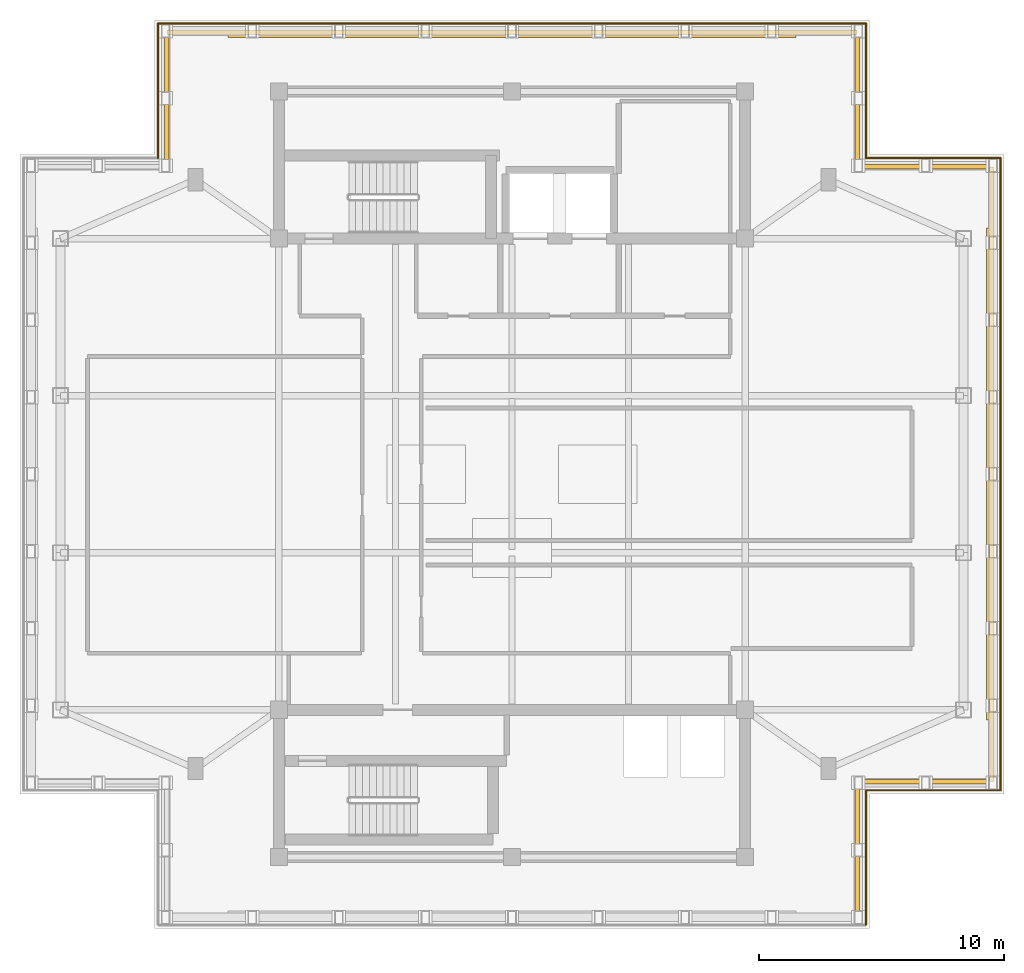
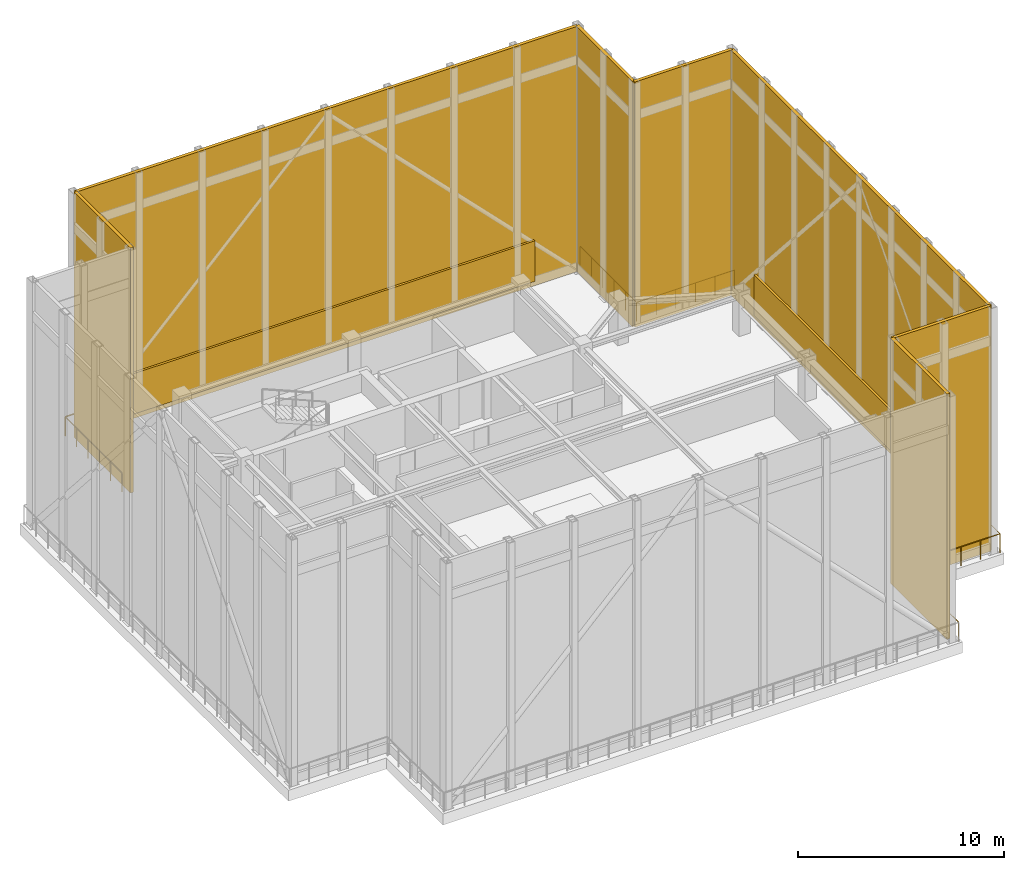
# One storey, part 8 of 8: 9 shading devices, 7 railings.
"""IFC4 building model written with IfcOpenShell, lengths in metres."""

from ifc_helpers import new_model, si_unit, direction, frame, frame_2d, origin, origin_2d, place, context, subcontext, project, spatial, rectangle, circle, extrude, material, layer, layer_set, type_object, element, save


model = new_model("IFC4")

# Units and contexts
model_context = context("Model", 3, precision=1e-05, world=origin(), true_north=direction((0.0, 1.0)))
body_context = subcontext(model_context, "Body", "Model", "MODEL_VIEW")
ifc_project = project(units=[si_unit("LENGTHUNIT", "METRE"), si_unit("AREAUNIT", "SQUARE_METRE"), si_unit("VOLUMEUNIT", "CUBIC_METRE"), si_unit("PLANEANGLEUNIT", "RADIAN"), si_unit("MASSUNIT", "GRAM", prefix="KILO")], contexts=[model_context])

# Site, building, storey
site_placement = place(None, origin())
site = spatial("IfcSite", under=ifc_project, at=site_placement, CompositionType="ELEMENT")
building_placement = place(site_placement, origin())
building = spatial("IfcBuilding", under=site, at=building_placement, Name="Mirazonda Arch Towers", CompositionType="ELEMENT")
storey_placement = place(building_placement, frame((0.0, 0.0, 263.5)))
storey = spatial("IfcBuildingStorey", under=building, at=storey_placement, Name="L75", CompositionType="ELEMENT", Elevation=263.5)

# Railings
ifc_material_1 = material(Name="Architectural Brushed Steel S355", Category="steel")
railing_type = type_object("IfcRailingType", Name="GUARD-EXT-1150", PredefinedType="GUARDRAIL", material=ifc_material_1)
railing_1_placement = place(storey_placement, frame((34.925048828125, 9.6298828125, 0.0)))
element("IfcRailing", 1, at=railing_1_placement, inside=storey, type_object=railing_type, Name="L75 L75 Crown Plant Deck Perimeter Guard 02", PredefinedType="GUARDRAIL", context=body_context, shape_type="SweptSolid", body=[
    extrude(circle(Radius=0.02392578125, at=origin_2d()), frame((0.0, 0.0, 1.1259765625), z_axis=(0.0, 1.0, 0.0), x_axis=(-1.0, 0.0, 0.0)), (0.0, 0.0, 1.0), 5.485107421875),
    extrude(circle(Radius=0.02099609375, at=origin_2d()), origin(), (0.0, 0.0, 1.0), 1.101806640625),
    extrude(circle(Radius=0.02099609375, at=origin_2d()), frame((0.0, 1.096923828125, 0.0)), (0.0, 0.0, 1.0), 1.101806640625),
    extrude(circle(Radius=0.02099609375, at=origin_2d()), frame((0.0, 2.194091796875, 0.0)), (0.0, 0.0, 1.0), 1.101806640625),
    extrude(circle(Radius=0.02099609375, at=origin_2d()), frame((0.0, 3.291015625, 0.0)), (0.0, 0.0, 1.0), 1.101806640625),
    extrude(circle(Radius=0.02099609375, at=origin_2d()), frame((0.0, 4.38818359375, 0.0)), (0.0, 0.0, 1.0), 1.101806640625),
    extrude(circle(Radius=0.02099609375, at=origin_2d()), frame((0.0, 5.485107421875, 0.0)), (0.0, 0.0, 1.0), 1.101806640625),
])
railing_2_placement = place(storey_placement, frame((34.925048828125, 15.114990234375, 0.0)))
element("IfcRailing", 2, at=railing_2_placement, inside=storey, type_object=railing_type, Name="L75 L75 Crown Plant Deck Perimeter Guard 03", PredefinedType="GUARDRAIL", context=body_context, shape_type="SweptSolid", body=[
    extrude(circle(Radius=0.02392578125, at=origin_2d()), frame((0.0, 0.0, 1.1259765625), z_axis=(1.0, 0.0, 0.0), x_axis=(0.0, 1.0, 0.0)), (0.0, 0.0, 1.0), 5.48486328125),
    extrude(circle(Radius=0.02099609375, at=origin_2d()), origin(), (0.0, 0.0, 1.0), 1.101806640625),
    extrude(circle(Radius=0.02099609375, at=origin_2d()), frame((1.096923828125, 0.0, 0.0)), (0.0, 0.0, 1.0), 1.101806640625),
    extrude(circle(Radius=0.02099609375, at=origin_2d()), frame((2.19384765625, 0.0, 0.0)), (0.0, 0.0, 1.0), 1.101806640625),
    extrude(circle(Radius=0.02099609375, at=origin_2d()), frame((3.291015625, 0.0, 0.0)), (0.0, 0.0, 1.0), 1.101806640625),
    extrude(circle(Radius=0.02099609375, at=origin_2d()), frame((4.387939453125, 0.0, 0.0)), (0.0, 0.0, 1.0), 1.101806640625),
    extrude(circle(Radius=0.02099609375, at=origin_2d()), frame((5.48486328125, 0.0, 0.0)), (0.0, 0.0, 1.0), 1.101806640625),
])
railing_3_placement = place(storey_placement, frame((40.409912109375, 15.114990234375, 0.0)))
element("IfcRailing", 3, at=railing_3_placement, inside=storey, type_object=railing_type, Name="L75 L75 Crown Plant Deck Perimeter Guard 04", PredefinedType="GUARDRAIL", context=body_context, shape_type="SweptSolid", body=[
    extrude(circle(Radius=0.02392578125, at=origin_2d()), frame((0.0, 0.0, 1.1259765625), z_axis=(0.0, 1.0, 0.0), x_axis=(-1.0, 0.0, 0.0)), (0.0, 0.0, 1.0), 25.77001953125),
    extrude(circle(Radius=0.02099609375, at=origin_2d()), origin(), (0.0, 0.0, 1.0), 1.101806640625),
    extrude(circle(Radius=0.02099609375, at=origin_2d()), frame((0.0, 1.17138671875, 0.0)), (0.0, 0.0, 1.0), 1.101806640625),
    extrude(circle(Radius=0.02099609375, at=origin_2d()), frame((0.0, 2.3427734375, 0.0)), (0.0, 0.0, 1.0), 1.101806640625),
    extrude(circle(Radius=0.02099609375, at=origin_2d()), frame((0.0, 3.51416015625, 0.0)), (0.0, 0.0, 1.0), 1.101806640625),
    extrude(circle(Radius=0.02099609375, at=origin_2d()), frame((0.0, 4.685546875, 0.0)), (0.0, 0.0, 1.0), 1.101806640625),
    extrude(circle(Radius=0.02099609375, at=origin_2d()), frame((0.0, 5.85693359375, 0.0)), (0.0, 0.0, 1.0), 1.101806640625),
    extrude(circle(Radius=0.02099609375, at=origin_2d()), frame((0.0, 7.028076171875, 0.0)), (0.0, 0.0, 1.0), 1.101806640625),
    extrude(circle(Radius=0.02099609375, at=origin_2d()), frame((0.0, 8.199462890625, 0.0)), (0.0, 0.0, 1.0), 1.101806640625),
    extrude(circle(Radius=0.02099609375, at=origin_2d()), frame((0.0, 9.370849609375, 0.0)), (0.0, 0.0, 1.0), 1.101806640625),
    extrude(circle(Radius=0.02099609375, at=origin_2d()), frame((0.0, 10.542236328125, 0.0)), (0.0, 0.0, 1.0), 1.101806640625),
    extrude(circle(Radius=0.02099609375, at=origin_2d()), frame((0.0, 11.713623046875, 0.0)), (0.0, 0.0, 1.0), 1.101806640625),
    extrude(circle(Radius=0.02099609375, at=origin_2d()), frame((0.0, 12.885009765625, 0.0)), (0.0, 0.0, 1.0), 1.101806640625),
    extrude(circle(Radius=0.02099609375, at=origin_2d()), frame((0.0, 14.056396484375, 0.0)), (0.0, 0.0, 1.0), 1.101806640625),
    extrude(circle(Radius=0.02099609375, at=origin_2d()), frame((0.0, 15.227783203125, 0.0)), (0.0, 0.0, 1.0), 1.101806640625),
    extrude(circle(Radius=0.02099609375, at=origin_2d()), frame((0.0, 16.399169921875, 0.0)), (0.0, 0.0, 1.0), 1.101806640625),
    extrude(circle(Radius=0.02099609375, at=origin_2d()), frame((0.0, 17.570556640625, 0.0)), (0.0, 0.0, 1.0), 1.101806640625),
    extrude(circle(Radius=0.02099609375, at=origin_2d()), frame((0.0, 18.741943359375, 0.0)), (0.0, 0.0, 1.0), 1.101806640625),
    extrude(circle(Radius=0.02099609375, at=origin_2d()), frame((0.0, 19.9130859375, 0.0)), (0.0, 0.0, 1.0), 1.101806640625),
    extrude(circle(Radius=0.02099609375, at=origin_2d()), frame((0.0, 21.08447265625, 0.0)), (0.0, 0.0, 1.0), 1.101806640625),
    extrude(circle(Radius=0.02099609375, at=origin_2d()), frame((0.0, 22.255859375, 0.0)), (0.0, 0.0, 1.0), 1.101806640625),
    extrude(circle(Radius=0.02099609375, at=origin_2d()), frame((0.0, 23.42724609375, 0.0)), (0.0, 0.0, 1.0), 1.101806640625),
    extrude(circle(Radius=0.02099609375, at=origin_2d()), frame((0.0, 24.5986328125, 0.0)), (0.0, 0.0, 1.0), 1.101806640625),
    extrude(circle(Radius=0.02099609375, at=origin_2d()), frame((0.0, 25.77001953125, 0.0)), (0.0, 0.0, 1.0), 1.101806640625),
])
railing_4_placement = place(storey_placement, frame((40.409912109375, 40.885009765625, 0.0)))
element("IfcRailing", 4, at=railing_4_placement, inside=storey, type_object=railing_type, Name="L75 L75 Crown Plant Deck Perimeter Guard 05", PredefinedType="GUARDRAIL", context=body_context, shape_type="SweptSolid", body=[
    extrude(circle(Radius=0.02392578125, at=origin_2d()), frame((0.0, 0.0, 1.1259765625), z_axis=(-1.0, 0.0, 0.0), x_axis=(0.0, -1.0, 0.0)), (0.0, 0.0, 1.0), 5.48486328125),
    extrude(circle(Radius=0.02099609375, at=origin_2d()), origin(), (0.0, 0.0, 1.0), 1.101806640625),
    extrude(circle(Radius=0.02099609375, at=origin_2d()), frame((-1.096923828125, 0.0, 0.0)), (0.0, 0.0, 1.0), 1.101806640625),
    extrude(circle(Radius=0.02099609375, at=origin_2d()), frame((-2.19384765625, 0.0, 0.0)), (0.0, 0.0, 1.0), 1.101806640625),
    extrude(circle(Radius=0.02099609375, at=origin_2d()), frame((-3.291015625, 0.0, 0.0)), (0.0, 0.0, 1.0), 1.101806640625),
    extrude(circle(Radius=0.02099609375, at=origin_2d()), frame((-4.387939453125, 0.0, 0.0)), (0.0, 0.0, 1.0), 1.101806640625),
    extrude(circle(Radius=0.02099609375, at=origin_2d()), frame((-5.48486328125, 0.0, 0.0)), (0.0, 0.0, 1.0), 1.101806640625),
])
railing_5_placement = place(storey_placement, frame((34.925048828125, 40.885009765625, 0.0)))
element("IfcRailing", 5, at=railing_5_placement, inside=storey, type_object=railing_type, Name="L75 L75 Crown Plant Deck Perimeter Guard 06", PredefinedType="GUARDRAIL", context=body_context, shape_type="SweptSolid", body=[
    extrude(circle(Radius=0.02392578125, at=origin_2d()), frame((0.0, 0.0, 1.1259765625), z_axis=(0.0, 1.0, 0.0), x_axis=(-1.0, 0.0, 0.0)), (0.0, 0.0, 1.0), 5.485107421875),
    extrude(circle(Radius=0.02099609375, at=origin_2d()), origin(), (0.0, 0.0, 1.0), 1.101806640625),
    extrude(circle(Radius=0.02099609375, at=origin_2d()), frame((0.0, 1.096923828125, 0.0)), (0.0, 0.0, 1.0), 1.101806640625),
    extrude(circle(Radius=0.02099609375, at=origin_2d()), frame((0.0, 2.194091796875, 0.0)), (0.0, 0.0, 1.0), 1.101806640625),
    extrude(circle(Radius=0.02099609375, at=origin_2d()), frame((0.0, 3.291015625, 0.0)), (0.0, 0.0, 1.0), 1.101806640625),
    extrude(circle(Radius=0.02099609375, at=origin_2d()), frame((0.0, 4.38818359375, 0.0)), (0.0, 0.0, 1.0), 1.101806640625),
    extrude(circle(Radius=0.02099609375, at=origin_2d()), frame((0.0, 5.485107421875, 0.0)), (0.0, 0.0, 1.0), 1.101806640625),
])
railing_6_placement = place(storey_placement, frame((34.925048828125, 46.3701171875, 0.0)))
element("IfcRailing", 6, at=railing_6_placement, inside=storey, type_object=railing_type, Name="L75 L75 Crown Plant Deck Perimeter Guard 07", PredefinedType="GUARDRAIL", context=body_context, shape_type="SweptSolid", body=[
    extrude(circle(Radius=0.02392578125, at=origin_2d()), frame((0.0, 0.0, 1.1259765625), z_axis=(-1.0, 0.0, 0.0), x_axis=(0.0, -1.0, 0.0)), (0.0, 0.0, 1.0), 28.85009765625),
    extrude(circle(Radius=0.02099609375, at=origin_2d()), origin(), (0.0, 0.0, 1.0), 1.101806640625),
    extrude(circle(Radius=0.02099609375, at=origin_2d()), frame((-1.154052734375, 0.0, 0.0)), (0.0, 0.0, 1.0), 1.101806640625),
    extrude(circle(Radius=0.02099609375, at=origin_2d()), frame((-2.30810546875, 0.0, 0.0)), (0.0, 0.0, 1.0), 1.101806640625),
    extrude(circle(Radius=0.02099609375, at=origin_2d()), frame((-3.4619140625, 0.0, 0.0)), (0.0, 0.0, 1.0), 1.101806640625),
    extrude(circle(Radius=0.02099609375, at=origin_2d()), frame((-4.615966796875, 0.0, 0.0)), (0.0, 0.0, 1.0), 1.101806640625),
    extrude(circle(Radius=0.02099609375, at=origin_2d()), frame((-5.77001953125, 0.0, 0.0)), (0.0, 0.0, 1.0), 1.101806640625),
    extrude(circle(Radius=0.02099609375, at=origin_2d()), frame((-6.924072265625, 0.0, 0.0)), (0.0, 0.0, 1.0), 1.101806640625),
    extrude(circle(Radius=0.02099609375, at=origin_2d()), frame((-8.078125, 0.0, 0.0)), (0.0, 0.0, 1.0), 1.101806640625),
    extrude(circle(Radius=0.02099609375, at=origin_2d()), frame((-9.23193359375, 0.0, 0.0)), (0.0, 0.0, 1.0), 1.101806640625),
    extrude(circle(Radius=0.02099609375, at=origin_2d()), frame((-10.385986328125, 0.0, 0.0)), (0.0, 0.0, 1.0), 1.101806640625),
    extrude(circle(Radius=0.02099609375, at=origin_2d()), frame((-11.5400390625, 0.0, 0.0)), (0.0, 0.0, 1.0), 1.101806640625),
    extrude(circle(Radius=0.02099609375, at=origin_2d()), frame((-12.694091796875, 0.0, 0.0)), (0.0, 0.0, 1.0), 1.101806640625),
    extrude(circle(Radius=0.02099609375, at=origin_2d()), frame((-13.84814453125, 0.0, 0.0)), (0.0, 0.0, 1.0), 1.101806640625),
    extrude(circle(Radius=0.02099609375, at=origin_2d()), frame((-15.001953125, 0.0, 0.0)), (0.0, 0.0, 1.0), 1.101806640625),
    extrude(circle(Radius=0.02099609375, at=origin_2d()), frame((-16.156005859375, 0.0, 0.0)), (0.0, 0.0, 1.0), 1.101806640625),
    extrude(circle(Radius=0.02099609375, at=origin_2d()), frame((-17.31005859375, 0.0, 0.0)), (0.0, 0.0, 1.0), 1.101806640625),
    extrude(circle(Radius=0.02099609375, at=origin_2d()), frame((-18.464111328125, 0.0, 0.0)), (0.0, 0.0, 1.0), 1.101806640625),
    extrude(circle(Radius=0.02099609375, at=origin_2d()), frame((-19.6181640625, 0.0, 0.0)), (0.0, 0.0, 1.0), 1.101806640625),
    extrude(circle(Radius=0.02099609375, at=origin_2d()), frame((-20.77197265625, 0.0, 0.0)), (0.0, 0.0, 1.0), 1.101806640625),
    extrude(circle(Radius=0.02099609375, at=origin_2d()), frame((-21.926025390625, 0.0, 0.0)), (0.0, 0.0, 1.0), 1.101806640625),
    extrude(circle(Radius=0.02099609375, at=origin_2d()), frame((-23.080078125, 0.0, 0.0)), (0.0, 0.0, 1.0), 1.101806640625),
    extrude(circle(Radius=0.02099609375, at=origin_2d()), frame((-24.234130859375, 0.0, 0.0)), (0.0, 0.0, 1.0), 1.101806640625),
    extrude(circle(Radius=0.02099609375, at=origin_2d()), frame((-25.38818359375, 0.0, 0.0)), (0.0, 0.0, 1.0), 1.101806640625),
    extrude(circle(Radius=0.02099609375, at=origin_2d()), frame((-26.5419921875, 0.0, 0.0)), (0.0, 0.0, 1.0), 1.101806640625),
    extrude(circle(Radius=0.02099609375, at=origin_2d()), frame((-27.696044921875, 0.0, 0.0)), (0.0, 0.0, 1.0), 1.101806640625),
    extrude(circle(Radius=0.02099609375, at=origin_2d()), frame((-28.85009765625, 0.0, 0.0)), (0.0, 0.0, 1.0), 1.101806640625),
])
railing_7_placement = place(storey_placement, frame((6.074951171875, 46.3701171875, 0.0)))
element("IfcRailing", 7, at=railing_7_placement, inside=storey, type_object=railing_type, Name="L75 L75 Crown Plant Deck Perimeter Guard 08", PredefinedType="GUARDRAIL", context=body_context, shape_type="SweptSolid", body=[
    extrude(circle(Radius=0.02392578125, at=origin_2d()), frame((0.0, 0.0, 1.1259765625), z_axis=(0.0, -1.0, 0.0), x_axis=(1.0, 0.0, 0.0)), (0.0, 0.0, 1.0), 5.485107421875),
    extrude(circle(Radius=0.02099609375, at=origin_2d()), origin(), (0.0, 0.0, 1.0), 1.101806640625),
    extrude(circle(Radius=0.02099609375, at=origin_2d()), frame((0.0, -1.096923828125, 0.0)), (0.0, 0.0, 1.0), 1.101806640625),
    extrude(circle(Radius=0.02099609375, at=origin_2d()), frame((0.0, -2.194091796875, 0.0)), (0.0, 0.0, 1.0), 1.101806640625),
    extrude(circle(Radius=0.02099609375, at=origin_2d()), frame((0.0, -3.291015625, 0.0)), (0.0, 0.0, 1.0), 1.101806640625),
    extrude(circle(Radius=0.02099609375, at=origin_2d()), frame((0.0, -4.38818359375, 0.0)), (0.0, 0.0, 1.0), 1.101806640625),
    extrude(circle(Radius=0.02099609375, at=origin_2d()), frame((0.0, -5.485107421875, 0.0)), (0.0, 0.0, 1.0), 1.101806640625),
])

# Shading devices
ifc_material_2 = material(Name="Anodised Aluminium Alloy", Category="aluminium")
ifc_layer_1 = layer(ifc_material_2, 0.14990234375, Name="LOUVRE-PLANT")
ifc_layer_set_1 = layer_set([ifc_layer_1], Name="Anodised Aluminium Alloy")
shading_device_type_1 = type_object("IfcShadingDeviceType", Name="LOUVRE-PLANT", PredefinedType="JALOUSIE", material=ifc_layer_set_1)
shading_device_1_placement = place(storey_placement, frame((39.909912109375, 17.97509765625, 0.39990234375), z_axis=(0.0, 0.0, 1.0), x_axis=(0.0, 1.0, 0.0)))
element("IfcShadingDevice", 8, at=shading_device_1_placement, inside=storey, type_object=shading_device_type_1, Name="T1 Crown Plant Intake Acoustic Louvre E04", PredefinedType="JALOUSIE", context=body_context, shape_type="SweptSolid", body=[
    extrude(rectangle(XDim=20.0498046875, YDim=0.14990234375, at=frame_2d((10.02490234375, 0.0))), origin(), (0.0, 0.0, 1.0), 2.400146484375),
])
shading_device_2_placement = place(storey_placement, frame((32.06494140625, 45.8701171875, 0.39990234375), z_axis=(0.0, 0.0, 1.0), x_axis=(-1.0, 0.0, 0.0)))
element("IfcShadingDevice", 9, at=shading_device_2_placement, inside=storey, type_object=shading_device_type_1, Name="T1 Crown Plant Intake Acoustic Louvre E07", PredefinedType="JALOUSIE", context=body_context, shape_type="SweptSolid", body=[
    extrude(rectangle(XDim=23.1298828125, YDim=0.14990234375, at=frame_2d((11.56494140625, 0.0))), origin(), (0.0, 0.0, 1.0), 2.400146484375),
])
ifc_material_3 = material(Name="Kiln-Fired Architectural Terracotta", Category="masonry")
ifc_layer_2 = layer(ifc_material_3, 0.179931640625, Name="SCREEN-CROWN")
ifc_layer_set_2 = layer_set([ifc_layer_2], Name="Kiln-Fired Architectural Terracotta")
shading_device_type_2 = type_object("IfcShadingDeviceType", Name="SCREEN-CROWN", PredefinedType="SHUTTER", material=ifc_layer_set_2)
for number, where, z_axis, x_axis, name in (
    (10, (34.56494140625, 9.989990234375, 0.050048828125), (0.0, 0.0, 1.0), (0.0, 1.0, 0.0), "T1 Constructivist Ring Crown Terracotta Screen E02"),
    (11, (34.56494140625, 15.47509765625, 0.050048828125), (0.0, 0.0, 1.0), (1.0, 0.0, 0.0), "T1 Constructivist Ring Crown Terracotta Screen E03"),
):
    element("IfcShadingDevice", number, at=place(storey_placement, frame(where, z_axis=z_axis, x_axis=x_axis)), inside=storey, type_object=shading_device_type_2, Name=name, PredefinedType="SHUTTER", context=body_context, shape_type="SweptSolid", body=[
        extrude(rectangle(XDim=5.485107421875, YDim=0.179931640625, at=frame_2d((2.74267578125, 0.0))), origin(), (0.0, 0.0, 1.0), 14.530029296875),
    ])
shading_device_3_placement = place(storey_placement, frame((40.050048828125, 15.47509765625, 0.050048828125), z_axis=(0.0, 0.0, 1.0), x_axis=(0.0, 1.0, 0.0)))
element("IfcShadingDevice", 12, at=shading_device_3_placement, inside=storey, type_object=shading_device_type_2, Name="T1 Constructivist Ring Crown Terracotta Screen E04", PredefinedType="SHUTTER", context=body_context, shape_type="SweptSolid", body=[
    extrude(rectangle(XDim=25.0498046875, YDim=0.179931640625, at=frame_2d((12.52490234375, 0.0))), origin(), (0.0, 0.0, 1.0), 14.530029296875),
])
for number, where, z_axis, x_axis, name in (
    (13, (40.050048828125, 40.52490234375, 0.050048828125), (0.0, 0.0, 1.0), (-1.0, 0.0, 0.0), "T1 Constructivist Ring Crown Terracotta Screen E05"),
    (14, (34.56494140625, 40.52490234375, 0.050048828125), (0.0, 0.0, 1.0), (0.0, 1.0, 0.0), "T1 Constructivist Ring Crown Terracotta Screen E06"),
):
    element("IfcShadingDevice", number, at=place(storey_placement, frame(where, z_axis=z_axis, x_axis=x_axis)), inside=storey, type_object=shading_device_type_2, Name=name, PredefinedType="SHUTTER", context=body_context, shape_type="SweptSolid", body=[
        extrude(rectangle(XDim=5.485107421875, YDim=0.179931640625, at=frame_2d((2.74267578125, 0.0))), origin(), (0.0, 0.0, 1.0), 14.530029296875),
    ])
shading_device_4_placement = place(storey_placement, frame((34.56494140625, 46.010009765625, 0.050048828125), z_axis=(0.0, 0.0, 1.0), x_axis=(-1.0, 0.0, 0.0)))
element("IfcShadingDevice", 15, at=shading_device_4_placement, inside=storey, type_object=shading_device_type_2, Name="T1 Constructivist Ring Crown Terracotta Screen E07", PredefinedType="SHUTTER", context=body_context, shape_type="SweptSolid", body=[
    extrude(rectangle(XDim=28.1298828125, YDim=0.179931640625, at=frame_2d((14.06494140625, 0.0))), origin(), (0.0, 0.0, 1.0), 14.530029296875),
])
shading_device_5_placement = place(storey_placement, frame((6.43505859375, 46.010009765625, 0.050048828125), z_axis=(0.0, 0.0, 1.0), x_axis=(0.0, -1.0, 0.0)))
element("IfcShadingDevice", 16, at=shading_device_5_placement, inside=storey, type_object=shading_device_type_2, Name="T1 Constructivist Ring Crown Terracotta Screen E08", PredefinedType="SHUTTER", context=body_context, shape_type="SweptSolid", body=[
    extrude(rectangle(XDim=5.485107421875, YDim=0.179931640625, at=frame_2d((2.74267578125, 0.0))), origin(), (0.0, 0.0, 1.0), 14.530029296875),
])

save(model, "model.ifc")
